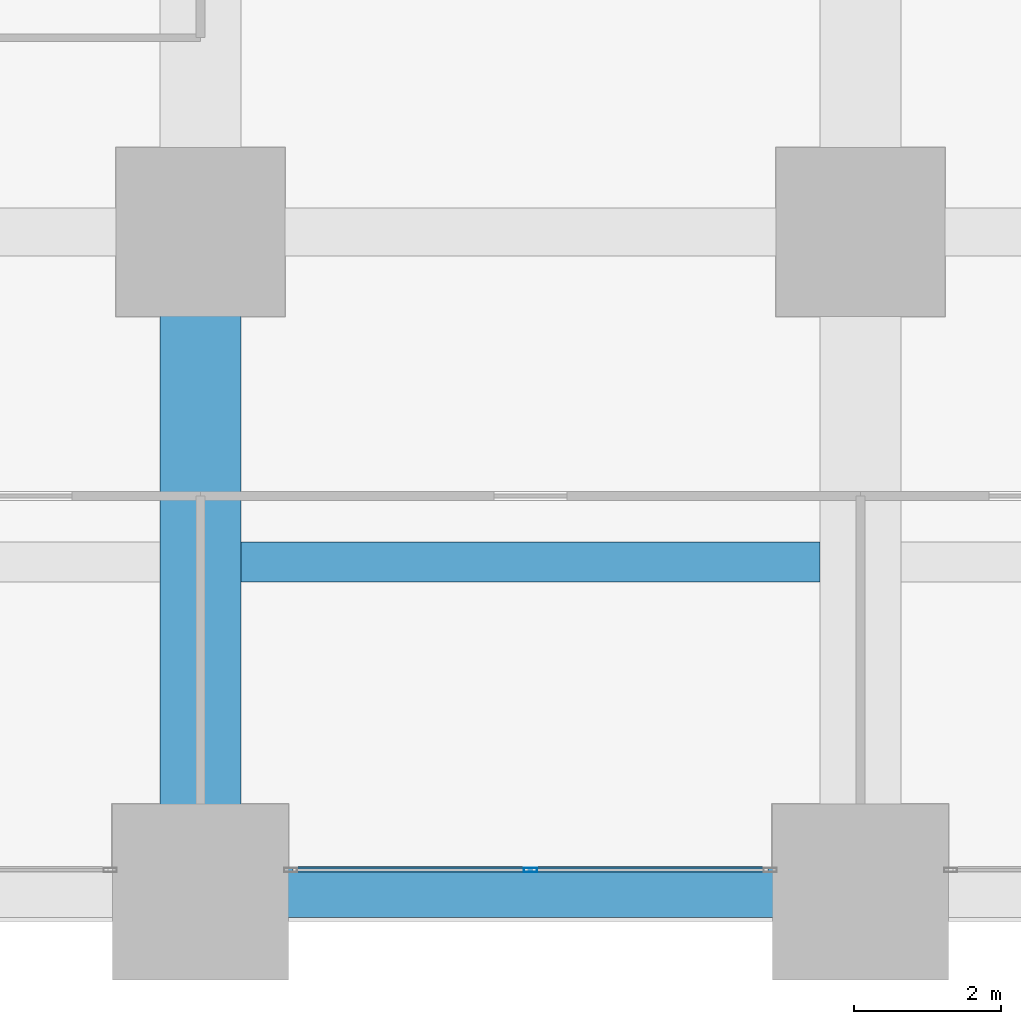
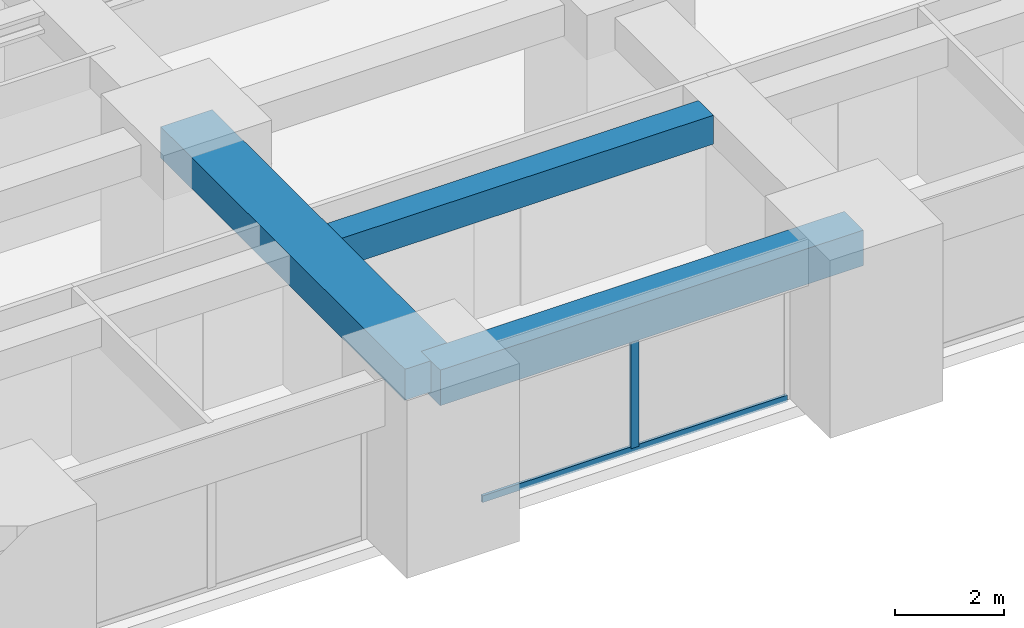
# One storey, part 7 of 45: 3 beams, 2 members, 1 element without a shape of its own.
"""IFC4 building model written with IfcOpenShell, lengths in metres."""

from ifc_helpers import new_model, si_unit, direction, frame, origin, origin_2d, place, context, subcontext, project, spatial, rectangle, hollow_rectangle, extrude, material, material_profile, profile_set, type_object, element, aggregate, save


model = new_model("IFC4")

# Units and contexts
model_context = context("Model", 3, precision=1e-05, world=origin(), true_north=direction((0.0, 1.0)))
body_context = subcontext(model_context, "Body", "Model", "MODEL_VIEW")
ifc_project = project(units=[si_unit("LENGTHUNIT", "METRE"), si_unit("AREAUNIT", "SQUARE_METRE"), si_unit("VOLUMEUNIT", "CUBIC_METRE"), si_unit("PLANEANGLEUNIT", "RADIAN"), si_unit("MASSUNIT", "GRAM", prefix="KILO")], contexts=[model_context])

# Site, building, storey
site_placement = place(None, origin())
site = spatial("IfcSite", under=ifc_project, at=site_placement, CompositionType="ELEMENT")
building_placement = place(site_placement, origin())
building = spatial("IfcBuilding", under=site, at=building_placement, Name="Zorevar Civic Tower", CompositionType="ELEMENT")
storey_placement = place(building_placement, frame((0.0, 0.0, 39.800048828125)))
storey = spatial("IfcBuildingStorey", under=building, at=storey_placement, Name="L09", CompositionType="ELEMENT", Elevation=39.800048828125)

# Beams
ifc_material_1 = material(Name="Concrete C50/60", Category="concrete")
ifc_material_profile_1 = material_profile(ifc_material_1, rectangle(XDim=1.10009765625, YDim=0.699951171875, at=origin_2d()), Name="RC 1100x700")
ifc_profile_set_1 = profile_set([ifc_material_profile_1], Name="Concrete C50/60")
beam_type_1 = type_object("IfcBeamType", Name="Beam RC 1100x700", PredefinedType="BEAM", material=ifc_profile_set_1)
beam_1_placement = place(storey_placement, frame((27.0, 0.0, 3.39990234375), z_axis=(0.0, 1.0, 0.0), x_axis=(-1.0, 0.0, 0.0)))
element("IfcBeam", 1, at=beam_1_placement, inside=storey, type_object=beam_type_1, Name="Girder L10", PredefinedType="BEAM", context=body_context, shape_type="SweptSolid", body=[
    extrude(rectangle(XDim=1.10009765625, YDim=0.699951171875, at=origin_2d()), origin(), (0.0, 0.0, 1.0), 9.0),
])
ifc_material_2 = material(Name="Concrete C50/60", Category="concrete")
ifc_material_profile_2 = material_profile(ifc_material_2, rectangle(XDim=0.550048828125, YDim=0.64990234375, at=origin_2d()), Name="RC 550x650")
ifc_profile_set_2 = profile_set([ifc_material_profile_2], Name="Concrete C50/60")
beam_type_2 = type_object("IfcBeamType", Name="Beam RC 550x650", PredefinedType="BEAM", material=ifc_profile_set_2)
beam_2_placement = place(storey_placement, frame((27.550048828125, 4.5, 3.425048828125), z_axis=(1.0, 0.0, 0.0), x_axis=(0.0, 1.0, 0.0)))
element("IfcBeam", 2, at=beam_2_placement, inside=storey, type_object=beam_type_2, Name="Secondary beam L10", PredefinedType="BEAM", context=body_context, shape_type="SweptSolid", body=[
    extrude(rectangle(XDim=0.550048828125, YDim=0.64990234375, at=origin_2d()), origin(), (0.0, 0.0, 1.0), 7.89990234375),
])

# Curtain wall, members
ifc_material_3 = material(Name="Dark grey solar-control glass in black aluminium frame", Category="aluminium")
curtain_wall_type = type_object("IfcCurtainWallType", Name="Curtain wall CW2 low zone", PredefinedType="NOTDEFINED", material=ifc_material_3)
curtain_wall_placement = place(storey_placement, origin())
curtain_wall = element("IfcCurtainWall", 3, at=curtain_wall_placement, inside=storey, type_object=curtain_wall_type, Name="CW2 L09", PredefinedType="NOTDEFINED")
ifc_material_4 = material(Name="Aluminium, black anodised", Category="aluminium")
ifc_material_profile_3 = material_profile(ifc_material_4, hollow_rectangle(XDim=0.06005859375, YDim=0.179931640625, WallThickness=0.00390625, at=origin_2d()), Name="AL 180x60x4")
ifc_profile_set_3 = profile_set([ifc_material_profile_3], Name="Aluminium, black anodised")
member_type_1 = type_object("IfcMemberType", Name="CW2 mullion AL 180x60x4", PredefinedType="MULLION", material=ifc_profile_set_3)
member_1_placement = place(storey_placement, frame((31.5, 0.300048828125, 0.06005859375), z_axis=(0.0, 0.0, 1.0), x_axis=(0.0, 1.0, 0.0)))
member_1 = element("IfcMember", 4, at=member_1_placement, type_object=member_type_1, Name="CW2 mullion 2", PredefinedType="MULLION", context=body_context, shape_type="SweptSolid", body=[
    extrude(hollow_rectangle(XDim=0.06005859375, YDim=0.179931640625, WallThickness=0.00390625, at=origin_2d()), origin(), (0.0, 0.0, 1.0), 2.889892578125),
])
ifc_material_5 = material(Name="Aluminium, black anodised", Category="aluminium")
ifc_material_profile_4 = material_profile(ifc_material_5, hollow_rectangle(XDim=0.06005859375, YDim=0.14990234375, WallThickness=0.00390625, at=origin_2d()), Name="AL 150x60x4")
ifc_profile_set_4 = profile_set([ifc_material_profile_4], Name="Aluminium, black anodised")
member_type_2 = type_object("IfcMemberType", Name="CW2 transom AL 150x60x4", PredefinedType="USERDEFINED", material=ifc_profile_set_4)
member_2_placement = place(storey_placement, frame((28.260009765625, 0.300048828125, 0.030029296875), z_axis=(1.0, 0.0, 0.0), x_axis=(0.0, 1.0, 0.0)))
member_2 = element("IfcMember", 5, at=member_2_placement, type_object=member_type_2, Name="CW2 sill transom", ObjectType="TRANSOM", PredefinedType="USERDEFINED", context=body_context, shape_type="SweptSolid", body=[
    extrude(hollow_rectangle(XDim=0.06005859375, YDim=0.14990234375, WallThickness=0.00390625, at=origin_2d()), origin(), (0.0, 0.0, 1.0), 6.47998046875),
])
aggregate(curtain_wall, [member_1, member_2])

# Beam
ifc_material_6 = material(Name="Concrete C50/60", Category="concrete")
ifc_material_profile_5 = material_profile(ifc_material_6, rectangle(XDim=0.699951171875, YDim=0.800048828125, at=origin_2d()), Name="RC 700x800")
ifc_profile_set_5 = profile_set([ifc_material_profile_5], Name="Concrete C50/60")
beam_type_3 = type_object("IfcBeamType", Name="Edge beam RC 700x800", PredefinedType="SPANDREL", material=ifc_profile_set_5)
beam_3_placement = place(storey_placement, frame((27.0, 0.0, 3.349853515625), z_axis=(1.0, 0.0, 0.0), x_axis=(0.0, 1.0, 0.0)))
element("IfcBeam", 6, at=beam_3_placement, inside=storey, type_object=beam_type_3, Name="Edge beam L10", PredefinedType="SPANDREL", context=body_context, shape_type="SweptSolid", body=[
    extrude(rectangle(XDim=0.699951171875, YDim=0.800048828125, at=origin_2d()), origin(), (0.0, 0.0, 1.0), 9.0),
])

save(model, "model.ifc")
